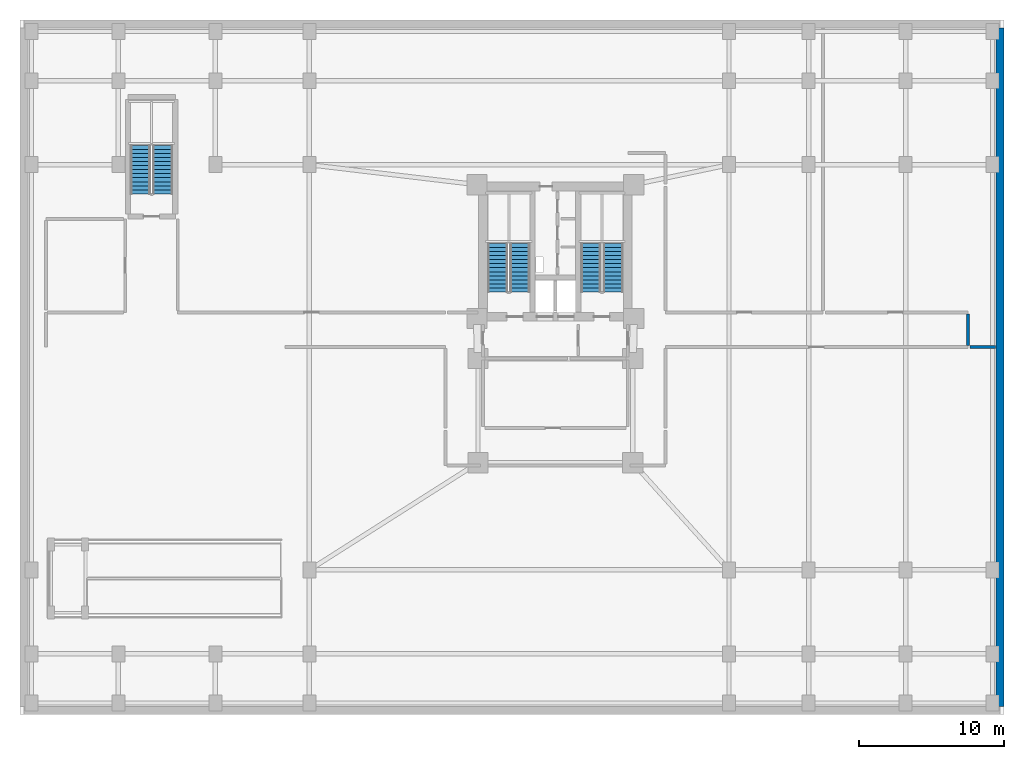
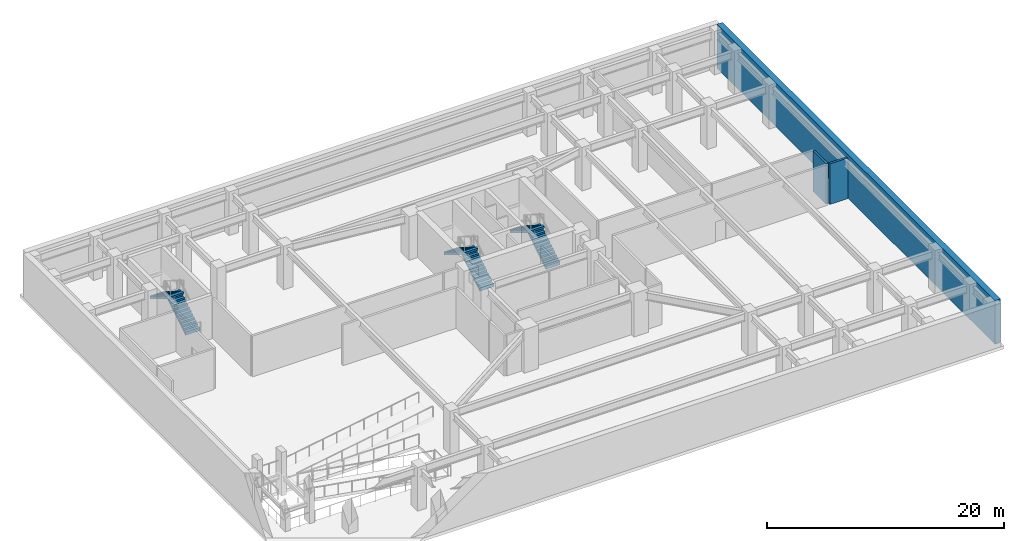
# One storey, part 6 of 8: 6 stair flights, 3 walls, 3 elements without a shape of their own.
"""IFC4 building model written with IfcOpenShell, lengths in metres."""

from ifc_helpers import new_model, si_unit, direction, frame, frame_2d, origin, place, context, subcontext, project, spatial, polyline, rectangle, outline, extrude, material, layer, layer_set, type_object, element, aggregate, save


model = new_model("IFC4")

# Units and contexts
model_context = context("Model", 3, precision=1e-05, world=origin(), true_north=direction((0.0, 1.0)))
body_context = subcontext(model_context, "Body", "Model", "MODEL_VIEW")
ifc_project = project(units=[si_unit("LENGTHUNIT", "METRE"), si_unit("AREAUNIT", "SQUARE_METRE"), si_unit("VOLUMEUNIT", "CUBIC_METRE"), si_unit("PLANEANGLEUNIT", "RADIAN"), si_unit("MASSUNIT", "GRAM", prefix="KILO")], contexts=[model_context])

# Site, building, storey
site_placement = place(None, origin())
site = spatial("IfcSite", under=ifc_project, at=site_placement, CompositionType="ELEMENT")
building_placement = place(site_placement, origin())
building = spatial("IfcBuilding", under=site, at=building_placement, Name="Varnakorn Sky Granary", CompositionType="ELEMENT")
storey_placement = place(building_placement, frame((0.0, 0.0, -4.5)))
storey = spatial("IfcBuildingStorey", under=building, at=storey_placement, Name="B01", CompositionType="ELEMENT", Elevation=-4.5)

# Walls
ifc_material_1 = material(Name="Autoclaved Aerated Concrete Blockwork", Category="masonry")
ifc_layer_1 = layer(ifc_material_1, 0.199951171875, Name="Autoclaved Aerated Concrete Blockwork")
ifc_layer_set_1 = layer_set([ifc_layer_1], Name="Autoclaved Aerated Concrete Blockwork")
wall_type_1 = type_object("IfcWallType", Name="WT-FIRE-200", PredefinedType="MOVABLE", material=ifc_layer_set_1)
wall_1_placement = place(storey_placement, frame((31.5, 1.510009765625, 0.0), z_axis=(0.0, 0.0, 1.0), x_axis=(0.0, 1.0, 0.0)))
element("IfcWall", 1, at=wall_1_placement, inside=storey, type_object=wall_type_1, Name="Interior Partition Wall B01-032", PredefinedType="MOVABLE", context=body_context, shape_type="SweptSolid", body=[
    extrude(rectangle(XDim=2.179931640625, YDim=0.199951171875, at=frame_2d((1.08984375, 0.0))), origin(), (0.0, 0.0, 1.0), 4.179931640625),
])
wall_2_placement = place(storey_placement, frame((31.659912109375, 1.39990234375, 0.0), z_axis=(0.0, 0.0, 1.0), x_axis=(1.0, 0.0, 0.0)))
element("IfcWall", 2, at=wall_2_placement, inside=storey, type_object=wall_type_1, Name="Interior Partition Wall B01-034", PredefinedType="MOVABLE", context=body_context, shape_type="SweptSolid", body=[
    extrude(rectangle(XDim=1.755126953125, YDim=0.199951171875, at=frame_2d((0.87744140625, 0.0))), origin(), (0.0, 0.0, 1.0), 4.179931640625),
])
ifc_material_2 = material(Name="Concrete C50/60", Category="concrete")
ifc_layer_2 = layer(ifc_material_2, 0.550048828125, Name="Concrete C50/60")
ifc_layer_set_2 = layer_set([ifc_layer_2], Name="Concrete C50/60")
wall_type_2 = type_object("IfcWallType", Name="WT-RW-BSMT-550", PredefinedType="SOLIDWALL", material=ifc_layer_set_2)
wall_3_placement = place(storey_placement, frame((33.72509765625, -23.43994140625, 0.0), z_axis=(0.0, 0.0, 1.0), x_axis=(0.0, 1.0, 0.0)))
element("IfcWall", 3, at=wall_3_placement, inside=storey, type_object=wall_type_2, Name="Basement Perimeter Retaining Wall B01-E", PredefinedType="SOLIDWALL", context=body_context, shape_type="SweptSolid", body=[
    extrude(rectangle(XDim=46.8798828125, YDim=0.550048828125, at=frame_2d((23.43994140625, 0.0))), origin(), (0.0, 0.0, 1.0), 4.491943359375),
])

# Stair, stair flights
ifc_material_3 = material(Name="Concrete C40/50", Category="concrete")
stair_type = type_object("IfcStairType", Name="ST-MAIN-ASSEMBLY", PredefinedType="HALF_TURN_STAIR", material=ifc_material_3)
stair_1_placement = place(storey_placement, origin())
stair_1 = element("IfcStair", 4, at=stair_1_placement, inside=storey, type_object=stair_type, Name="B01 Protected Exit Stair ST-1", PredefinedType="HALF_TURN_STAIR")
stair_flight_type = type_object("IfcStairFlightType", Name="ST-MAIN-FLIGHT", PredefinedType="STRAIGHT", material=ifc_material_3)
stair_flight_1_placement = place(storey_placement, frame((0.550048828125, 5.199951171875, 0.0), z_axis=(0.0, 0.0, 1.0), x_axis=(0.0, 1.0, 0.0)))
stair_flight_1 = element("IfcStairFlight", 5, at=stair_flight_1_placement, type_object=stair_flight_type, Name="ST-1 flight 1", NumberOfRisers=13, NumberOfTreads=12, PredefinedType="STRAIGHT", RiserHeight=0.173076923, TreadLength=0.28, context=body_context, shape_type="SweptSolid", body=[
    extrude(outline(polyline([(0.0, -0.14990234375), (0.0, 0.0), (0.0, 0.173095703125), (0.280029296875, 0.173095703125), (0.280029296875, 0.34619140625), (0.56005859375, 0.34619140625), (0.56005859375, 0.519287109375), (0.840087890625, 0.519287109375), (0.840087890625, 0.6923828125), (1.1201171875, 0.6923828125), (1.1201171875, 0.865478515625), (1.39990234375, 0.865478515625), (1.39990234375, 1.03857421875), (1.679931640625, 1.03857421875), (1.679931640625, 1.21142578125), (1.9599609375, 1.21142578125), (1.9599609375, 1.384521484375), (2.239990234375, 1.384521484375), (2.239990234375, 1.5576171875), (2.52001953125, 1.5576171875), (2.52001953125, 1.730712890625), (2.800048828125, 1.730712890625), (2.800048828125, 1.90380859375), (3.080078125, 1.90380859375), (3.080078125, 2.076904296875), (3.360107421875, 2.076904296875), (3.360107421875, 2.25), (3.360107421875, 1.900634765625), (0.050048828125, -0.14990234375), (0.0, -0.14990234375)])), frame((0.0, 0.68994140625, 0.0), z_axis=(0.0, -1.0, 0.0), x_axis=(1.0, 0.0, 0.0)), (0.0, 0.0, 1.0), 1.3798828125),
])
stair_flight_2_placement = place(storey_placement, frame((-0.97998046875, 8.56005859375, 2.25), z_axis=(0.0, 0.0, 1.0), x_axis=(0.0, -1.0, 0.0)))
stair_flight_2 = element("IfcStairFlight", 6, at=stair_flight_2_placement, type_object=stair_flight_type, Name="ST-1 flight 2", NumberOfRisers=13, NumberOfTreads=12, PredefinedType="STRAIGHT", RiserHeight=0.173076923, TreadLength=0.28, context=body_context, shape_type="SweptSolid", body=[
    extrude(outline(polyline([(0.0, -0.14990234375), (0.0, 0.0), (0.0, 0.173095703125), (0.280029296875, 0.173095703125), (0.280029296875, 0.34619140625), (0.56005859375, 0.34619140625), (0.56005859375, 0.519287109375), (0.840087890625, 0.519287109375), (0.840087890625, 0.6923828125), (1.1201171875, 0.6923828125), (1.1201171875, 0.865478515625), (1.39990234375, 0.865478515625), (1.39990234375, 1.03857421875), (1.679931640625, 1.03857421875), (1.679931640625, 1.21142578125), (1.9599609375, 1.21142578125), (1.9599609375, 1.384521484375), (2.239990234375, 1.384521484375), (2.239990234375, 1.5576171875), (2.52001953125, 1.5576171875), (2.52001953125, 1.730712890625), (2.800048828125, 1.730712890625), (2.800048828125, 1.90380859375), (3.080078125, 1.90380859375), (3.080078125, 2.076904296875), (3.360107421875, 2.076904296875), (3.360107421875, 2.25), (3.360107421875, 1.900634765625), (0.050048828125, -0.14990234375), (0.0, -0.14990234375)])), frame((0.0, 0.68994140625, 0.0), z_axis=(0.0, -1.0, 0.0), x_axis=(1.0, 0.0, 0.0)), (0.0, 0.0, 1.0), 1.3798828125),
])
aggregate(stair_1, [stair_flight_1, stair_flight_2])

stair_2_placement = place(storey_placement, origin())
stair_2 = element("IfcStair", 7, at=stair_2_placement, inside=storey, type_object=stair_type, Name="B01 Protected Exit Stair ST-2", PredefinedType="HALF_TURN_STAIR")
stair_flight_3_placement = place(storey_placement, frame((6.989990234375, 5.199951171875, 0.0), z_axis=(0.0, 0.0, 1.0), x_axis=(0.0, 1.0, 0.0)))
stair_flight_3 = element("IfcStairFlight", 8, at=stair_flight_3_placement, type_object=stair_flight_type, Name="ST-2 flight 1", NumberOfRisers=13, NumberOfTreads=12, PredefinedType="STRAIGHT", RiserHeight=0.173076923, TreadLength=0.28, context=body_context, shape_type="SweptSolid", body=[
    extrude(outline(polyline([(0.0, -0.14990234375), (0.0, 0.0), (0.0, 0.173095703125), (0.280029296875, 0.173095703125), (0.280029296875, 0.34619140625), (0.56005859375, 0.34619140625), (0.56005859375, 0.519287109375), (0.840087890625, 0.519287109375), (0.840087890625, 0.6923828125), (1.1201171875, 0.6923828125), (1.1201171875, 0.865478515625), (1.39990234375, 0.865478515625), (1.39990234375, 1.03857421875), (1.679931640625, 1.03857421875), (1.679931640625, 1.21142578125), (1.9599609375, 1.21142578125), (1.9599609375, 1.384521484375), (2.239990234375, 1.384521484375), (2.239990234375, 1.5576171875), (2.52001953125, 1.5576171875), (2.52001953125, 1.730712890625), (2.800048828125, 1.730712890625), (2.800048828125, 1.90380859375), (3.080078125, 1.90380859375), (3.080078125, 2.076904296875), (3.360107421875, 2.076904296875), (3.360107421875, 2.25), (3.360107421875, 1.900634765625), (0.050048828125, -0.14990234375), (0.0, -0.14990234375)])), frame((0.0, 0.68994140625, 0.0), z_axis=(0.0, -1.0, 0.0), x_axis=(1.0, 0.0, 0.0)), (0.0, 0.0, 1.0), 1.3798828125),
])
stair_flight_4_placement = place(storey_placement, frame((5.4599609375, 8.56005859375, 2.25), z_axis=(0.0, 0.0, 1.0), x_axis=(0.0, -1.0, 0.0)))
stair_flight_4 = element("IfcStairFlight", 9, at=stair_flight_4_placement, type_object=stair_flight_type, Name="ST-2 flight 2", NumberOfRisers=13, NumberOfTreads=12, PredefinedType="STRAIGHT", RiserHeight=0.173076923, TreadLength=0.28, context=body_context, shape_type="SweptSolid", body=[
    extrude(outline(polyline([(0.0, -0.14990234375), (0.0, 0.0), (0.0, 0.173095703125), (0.280029296875, 0.173095703125), (0.280029296875, 0.34619140625), (0.56005859375, 0.34619140625), (0.56005859375, 0.519287109375), (0.840087890625, 0.519287109375), (0.840087890625, 0.6923828125), (1.1201171875, 0.6923828125), (1.1201171875, 0.865478515625), (1.39990234375, 0.865478515625), (1.39990234375, 1.03857421875), (1.679931640625, 1.03857421875), (1.679931640625, 1.21142578125), (1.9599609375, 1.21142578125), (1.9599609375, 1.384521484375), (2.239990234375, 1.384521484375), (2.239990234375, 1.5576171875), (2.52001953125, 1.5576171875), (2.52001953125, 1.730712890625), (2.800048828125, 1.730712890625), (2.800048828125, 1.90380859375), (3.080078125, 1.90380859375), (3.080078125, 2.076904296875), (3.360107421875, 2.076904296875), (3.360107421875, 2.25), (3.360107421875, 1.900634765625), (0.050048828125, -0.14990234375), (0.0, -0.14990234375)])), frame((0.0, 0.68994140625, 0.0), z_axis=(0.0, -1.0, 0.0), x_axis=(1.0, 0.0, 0.0)), (0.0, 0.0, 1.0), 1.3798828125),
])
aggregate(stair_2, [stair_flight_3, stair_flight_4])

stair_3_placement = place(storey_placement, origin())
stair_3 = element("IfcStair", 10, at=stair_3_placement, inside=storey, type_object=stair_type, Name="B01 Podium and Basement Protected Exit Stair ST-B3", PredefinedType="HALF_TURN_STAIR")
stair_flight_5_placement = place(storey_placement, frame((-24.139892578125, 11.97998046875, 0.0), z_axis=(0.0, 0.0, 1.0), x_axis=(0.0, 1.0, 0.0)))
stair_flight_5 = element("IfcStairFlight", 11, at=stair_flight_5_placement, type_object=stair_flight_type, Name="ST-B3 flight 1", NumberOfRisers=13, NumberOfTreads=12, PredefinedType="STRAIGHT", RiserHeight=0.173076923, TreadLength=0.28, context=body_context, shape_type="SweptSolid", body=[
    extrude(outline(polyline([(0.0, -0.14990234375), (0.0, 0.0), (0.0, 0.173095703125), (0.280029296875, 0.173095703125), (0.280029296875, 0.34619140625), (0.56005859375, 0.34619140625), (0.56005859375, 0.519287109375), (0.840087890625, 0.519287109375), (0.840087890625, 0.6923828125), (1.1201171875, 0.6923828125), (1.1201171875, 0.865478515625), (1.39990234375, 0.865478515625), (1.39990234375, 1.03857421875), (1.679931640625, 1.03857421875), (1.679931640625, 1.21142578125), (1.9599609375, 1.21142578125), (1.9599609375, 1.384521484375), (2.239990234375, 1.384521484375), (2.239990234375, 1.5576171875), (2.52001953125, 1.5576171875), (2.52001953125, 1.730712890625), (2.800048828125, 1.730712890625), (2.800048828125, 1.90380859375), (3.080078125, 1.90380859375), (3.080078125, 2.076904296875), (3.360107421875, 2.076904296875), (3.360107421875, 2.25), (3.360107421875, 1.900634765625), (0.050048828125, -0.14990234375), (0.0, -0.14990234375)])), frame((0.0, 0.68994140625, 0.0), z_axis=(0.0, -1.0, 0.0), x_axis=(1.0, 0.0, 0.0)), (0.0, 0.0, 1.0), 1.3798828125),
])
stair_flight_6_placement = place(storey_placement, frame((-25.669921875, 15.340087890625, 2.25), z_axis=(0.0, 0.0, 1.0), x_axis=(0.0, -1.0, 0.0)))
stair_flight_6 = element("IfcStairFlight", 12, at=stair_flight_6_placement, type_object=stair_flight_type, Name="ST-B3 flight 2", NumberOfRisers=13, NumberOfTreads=12, PredefinedType="STRAIGHT", RiserHeight=0.173076923, TreadLength=0.28, context=body_context, shape_type="SweptSolid", body=[
    extrude(outline(polyline([(0.0, -0.14990234375), (0.0, 0.0), (0.0, 0.173095703125), (0.280029296875, 0.173095703125), (0.280029296875, 0.34619140625), (0.56005859375, 0.34619140625), (0.56005859375, 0.519287109375), (0.840087890625, 0.519287109375), (0.840087890625, 0.6923828125), (1.1201171875, 0.6923828125), (1.1201171875, 0.865478515625), (1.39990234375, 0.865478515625), (1.39990234375, 1.03857421875), (1.679931640625, 1.03857421875), (1.679931640625, 1.21142578125), (1.9599609375, 1.21142578125), (1.9599609375, 1.384521484375), (2.239990234375, 1.384521484375), (2.239990234375, 1.5576171875), (2.52001953125, 1.5576171875), (2.52001953125, 1.730712890625), (2.800048828125, 1.730712890625), (2.800048828125, 1.90380859375), (3.080078125, 1.90380859375), (3.080078125, 2.076904296875), (3.360107421875, 2.076904296875), (3.360107421875, 2.25), (3.360107421875, 1.900634765625), (0.050048828125, -0.14990234375), (0.0, -0.14990234375)])), frame((0.0, 0.68994140625, 0.0), z_axis=(0.0, -1.0, 0.0), x_axis=(1.0, 0.0, 0.0)), (0.0, 0.0, 1.0), 1.3798828125),
])
aggregate(stair_3, [stair_flight_5, stair_flight_6])

save(model, "model.ifc")
